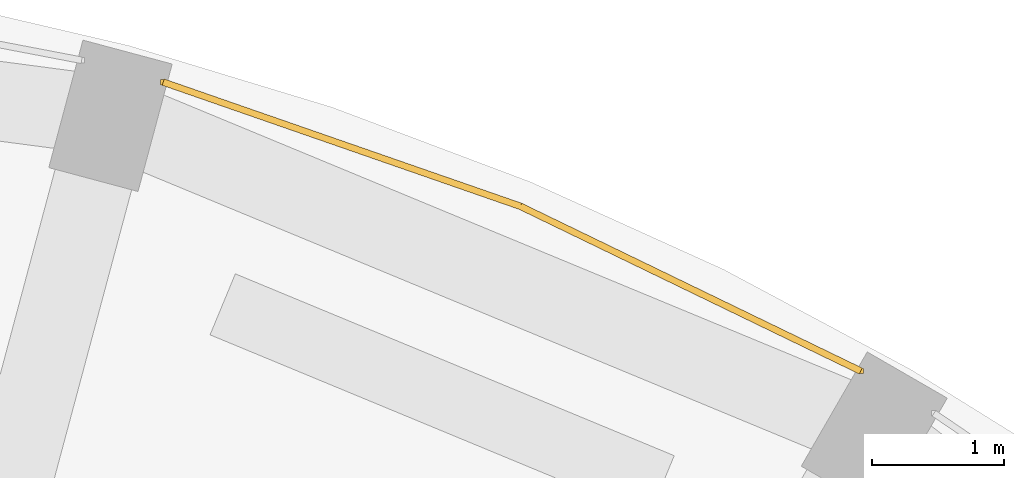
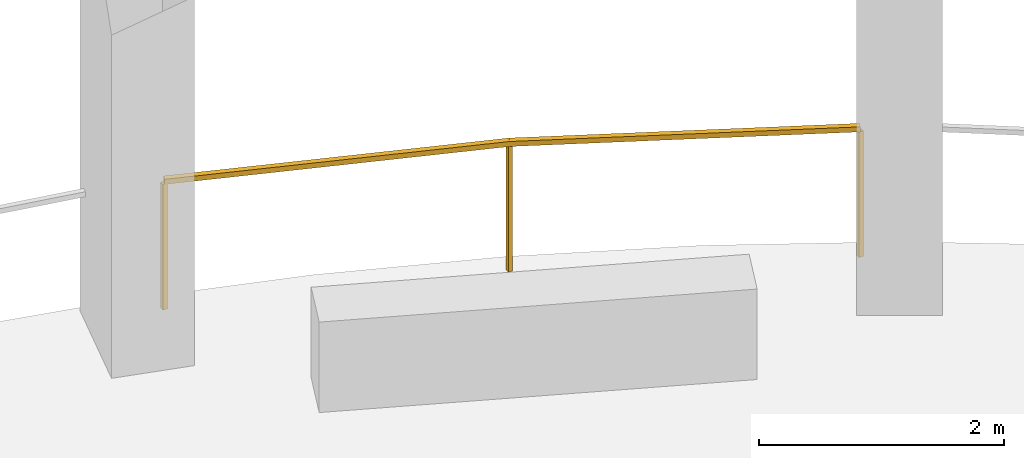
# One storey, part 9 of 9: 1 railing.
"""IFC4 building model written with IfcOpenShell, lengths in metres."""

from ifc_helpers import new_model, si_unit, direction, frame, origin, origin_2d, place, context, subcontext, project, spatial, rectangle, extrude, material, type_object, element, save


model = new_model("IFC4")

# Units and contexts
model_context = context("Model", 3, precision=1e-05, world=origin(), true_north=direction((0.0, 1.0)))
body_context = subcontext(model_context, "Body", "Model", "MODEL_VIEW")
ifc_project = project(units=[si_unit("LENGTHUNIT", "METRE"), si_unit("AREAUNIT", "SQUARE_METRE"), si_unit("VOLUMEUNIT", "CUBIC_METRE"), si_unit("PLANEANGLEUNIT", "RADIAN"), si_unit("MASSUNIT", "GRAM", prefix="KILO")], contexts=[model_context])

# Site, building, storey
site_placement = place(None, origin())
site = spatial("IfcSite", under=ifc_project, at=site_placement, CompositionType="ELEMENT")
building_placement = place(site_placement, origin())
building = spatial("IfcBuilding", under=site, at=building_placement, Name="Torre Triforio", CompositionType="ELEMENT")
storey_placement = place(building_placement, frame((0.0, 0.0, 226.10009765625)))
storey = spatial("IfcBuildingStorey", under=building, at=storey_placement, Name="L51", CompositionType="ELEMENT", Elevation=226.10009765625)

# Railing
ifc_material = material(Name="Stainless steel AISI 316", Category="steel")
railing_type = type_object("IfcRailingType", Name="Loggia guard 1300", PredefinedType="GUARDRAIL", material=ifc_material)
railing_placement = place(storey_placement, frame((11.89794921875, 21.247802734375, 0.0)))
element("IfcRailing", 1, at=railing_placement, inside=storey, type_object=railing_type, Name="Loggia guard L51 bay 05", PredefinedType="GUARDRAIL", context=body_context, shape_type="SweptSolid", body=[
    extrude(rectangle(XDim=0.050048828125, YDim=0.050048828125, at=origin_2d()), frame((0.0, 0.0, 1.27490234375), z_axis=(-0.900078431046, 0.435727917358, 0.0), x_axis=(-0.435727917358, -0.900078431046, 0.0)), (0.0, 0.0, 1.0), 2.865966796875),
    extrude(rectangle(XDim=0.050048828125, YDim=0.050048828125, at=origin_2d()), frame((-2.57958984375, 1.248779296875, 1.27490234375), z_axis=(-0.944568028123, 0.328315763022, 0.0), x_axis=(-0.328315763022, -0.944568028123, 0.0)), (0.0, 0.0, 1.0), 2.865966796875),
    extrude(rectangle(XDim=0.0400390625, YDim=0.0400390625, at=origin_2d()), origin(), (0.0, 0.0, 1.0), 1.25),
    extrude(rectangle(XDim=0.0400390625, YDim=0.0400390625, at=origin_2d()), frame((-2.57958984375, 1.248779296875, 0.0)), (0.0, 0.0, 1.0), 1.25),
    extrude(rectangle(XDim=0.0400390625, YDim=0.0400390625, at=origin_2d()), frame((-5.28662109375, 2.189697265625, 0.0)), (0.0, 0.0, 1.0), 1.25),
])

save(model, "model.ifc")
